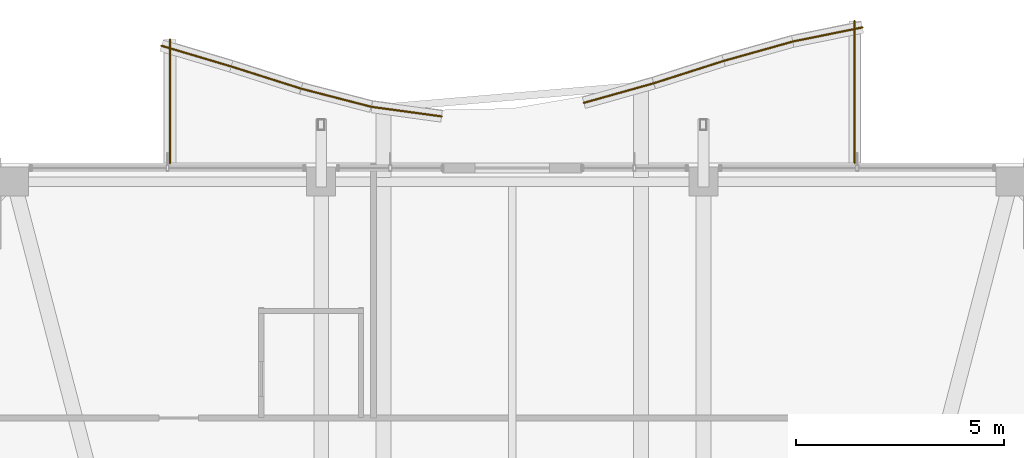
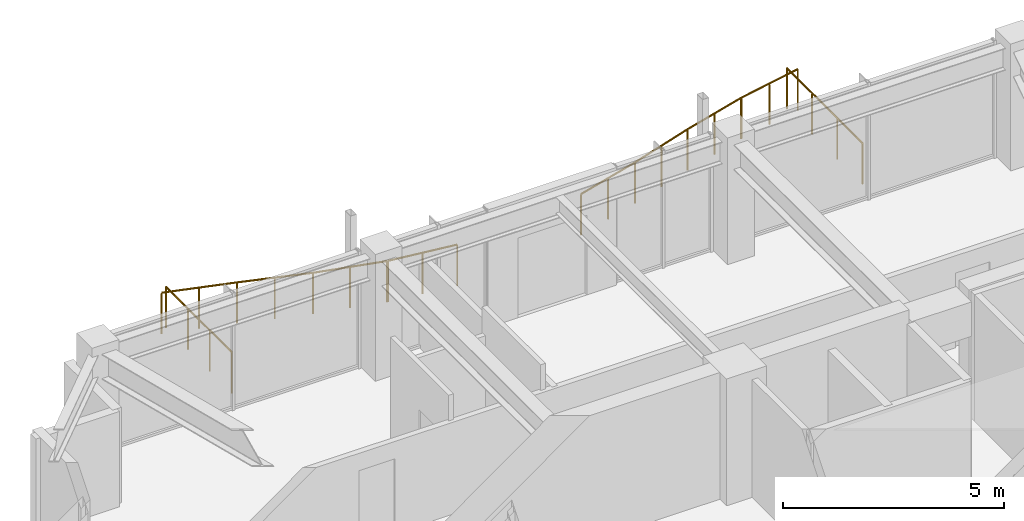
# One storey, part 31 of 31: 10 railings.
"""IFC4 building model written with IfcOpenShell, lengths in metres."""

from ifc_helpers import new_model, si_unit, direction, frame, origin, origin_2d, place, context, subcontext, project, spatial, circle, extrude, material, type_object, element, save


model = new_model("IFC4")

# Units and contexts
model_context = context("Model", 3, precision=1e-05, world=origin(), true_north=direction((0.0, 1.0)))
body_context = subcontext(model_context, "Body", "Model", "MODEL_VIEW")
ifc_project = project(units=[si_unit("LENGTHUNIT", "METRE"), si_unit("AREAUNIT", "SQUARE_METRE"), si_unit("VOLUMEUNIT", "CUBIC_METRE"), si_unit("PLANEANGLEUNIT", "RADIAN"), si_unit("MASSUNIT", "GRAM", prefix="KILO")], contexts=[model_context])

# Site, building, storey
site_placement = place(None, origin())
site = spatial("IfcSite", under=ifc_project, at=site_placement, CompositionType="ELEMENT")
building_placement = place(site_placement, origin())
building = spatial("IfcBuilding", under=site, at=building_placement, Name="Kolvaren Belvedere", CompositionType="ELEMENT")
storey_placement = place(building_placement, frame((0.0, 0.0, 247.89990234375)))
storey = spatial("IfcBuildingStorey", under=building, at=storey_placement, Name="L72", CompositionType="ELEMENT", Elevation=247.89990234375)

# Railings
ifc_material = material(Name="Anodised pale-metal aluminium & laminated glass guard", Category="aluminium")
railing_type = type_object("IfcRailingType", Name="RL-GUARD-1150", PredefinedType="GUARDRAIL", material=ifc_material)
railing_1_placement = place(storey_placement, frame((8.239990234375, 18.39990234375, 0.35009765625)))
element("IfcRailing", 1, at=railing_1_placement, inside=storey, type_object=railing_type, Name="L72 Exterior Deck Safety Guard BAL-N-11", PredefinedType="GUARDRAIL", context=body_context, shape_type="SweptSolid", body=[
    extrude(circle(Radius=0.02392578125, at=origin_2d()), frame((0.0, 0.0, 1.1259765625), z_axis=(0.0, 1.0, 0.0), x_axis=(-1.0, 0.0, 0.0)), (0.0, 0.0, 1.0), 3.420166015625),
    extrude(circle(Radius=0.02099609375, at=origin_2d()), origin(), (0.0, 0.0, 1.0), 1.101806640625),
    extrude(circle(Radius=0.02099609375, at=origin_2d()), frame((0.0, 1.14013671875, 0.0)), (0.0, 0.0, 1.0), 1.101806640625),
    extrude(circle(Radius=0.02099609375, at=origin_2d()), frame((0.0, 2.280029296875, 0.0)), (0.0, 0.0, 1.0), 1.101806640625),
    extrude(circle(Radius=0.02099609375, at=origin_2d()), frame((0.0, 3.420166015625, 0.0)), (0.0, 0.0, 1.0), 1.101806640625),
])
railing_2_placement = place(storey_placement, frame((8.431884765625, 21.6630859375, 0.35009765625)))
element("IfcRailing", 2, at=railing_2_placement, inside=storey, type_object=railing_type, Name="L72 Exterior Deck Safety Guard BAL-N-12", PredefinedType="GUARDRAIL", context=body_context, shape_type="SweptSolid", body=[
    extrude(circle(Radius=0.02392578125, at=origin_2d()), frame((0.0, 0.0, 1.1259765625), z_axis=(-0.980067977123, -0.198662427795, 0.0), x_axis=(0.198662427795, -0.980067977123, 0.0)), (0.0, 0.0, 1.0), 1.71435546875),
    extrude(circle(Radius=0.02099609375, at=origin_2d()), origin(), (0.0, 0.0, 1.0), 1.101806640625),
    extrude(circle(Radius=0.02099609375, at=origin_2d()), frame((-0.840087890625, -0.17041015625, 0.0)), (0.0, 0.0, 1.0), 1.101806640625),
    extrude(circle(Radius=0.02099609375, at=origin_2d()), frame((-1.68017578125, -0.340576171875, 0.0)), (0.0, 0.0, 1.0), 1.101806640625),
])
railing_3_placement = place(storey_placement, frame((6.76318359375, 21.3251953125, 0.35009765625)))
element("IfcRailing", 3, at=railing_3_placement, inside=storey, type_object=railing_type, Name="L72 Exterior Deck Safety Guard BAL-N-13", PredefinedType="GUARDRAIL", context=body_context, shape_type="SweptSolid", body=[
    extrude(circle(Radius=0.02392578125, at=origin_2d()), frame((0.0, 0.0, 1.1259765625), z_axis=(-0.962916043401, -0.269801210823, 0.0), x_axis=(0.269801210823, -0.962916043401, 0.0)), (0.0, 0.0, 1.0), 1.74462890625),
    extrude(circle(Radius=0.02099609375, at=origin_2d()), origin(), (0.0, 0.0, 1.0), 1.101806640625),
    extrude(circle(Radius=0.02099609375, at=origin_2d()), frame((-0.83984375, -0.2353515625, 0.0)), (0.0, 0.0, 1.0), 1.101806640625),
    extrude(circle(Radius=0.02099609375, at=origin_2d()), frame((-1.679931640625, -0.470703125, 0.0)), (0.0, 0.0, 1.0), 1.101806640625),
])
railing_4_placement = place(storey_placement, frame((5.088623046875, 20.856201171875, 0.35009765625)))
element("IfcRailing", 4, at=railing_4_placement, inside=storey, type_object=railing_type, Name="L72 Exterior Deck Safety Guard BAL-N-14", PredefinedType="GUARDRAIL", context=body_context, shape_type="SweptSolid", body=[
    extrude(circle(Radius=0.02392578125, at=origin_2d()), frame((0.0, 0.0, 1.1259765625), z_axis=(-0.952501264923, -0.304534629099, 0.0), x_axis=(0.304534629099, -0.952501264923, 0.0)), (0.0, 0.0, 1.0), 1.763671875),
    extrude(circle(Radius=0.02099609375, at=origin_2d()), origin(), (0.0, 0.0, 1.0), 1.101806640625),
    extrude(circle(Radius=0.02099609375, at=origin_2d()), frame((-0.83984375, -0.2685546875, 0.0)), (0.0, 0.0, 1.0), 1.101806640625),
    extrude(circle(Radius=0.02099609375, at=origin_2d()), frame((-1.679931640625, -0.537109375, 0.0)), (0.0, 0.0, 1.0), 1.101806640625),
])
railing_5_placement = place(storey_placement, frame((3.4033203125, 20.3173828125, 0.35009765625)))
element("IfcRailing", 5, at=railing_5_placement, inside=storey, type_object=railing_type, Name="L72 Exterior Deck Safety Guard BAL-N-15", PredefinedType="GUARDRAIL", context=body_context, shape_type="SweptSolid", body=[
    extrude(circle(Radius=0.02392578125, at=origin_2d()), frame((0.0, 0.0, 1.1259765625), z_axis=(-0.962926227834, -0.269764860108, 0.0), x_axis=(0.269764860108, -0.962926227834, 0.0)), (0.0, 0.0, 1.0), 1.744873046875),
    extrude(circle(Radius=0.02099609375, at=origin_2d()), origin(), (0.0, 0.0, 1.0), 1.101806640625),
    extrude(circle(Radius=0.02099609375, at=origin_2d()), frame((-0.840087890625, -0.2353515625, 0.0)), (0.0, 0.0, 1.0), 1.101806640625),
    extrude(circle(Radius=0.02099609375, at=origin_2d()), frame((-1.68017578125, -0.470703125, 0.0)), (0.0, 0.0, 1.0), 1.101806640625),
])
railing_6_placement = place(storey_placement, frame((-1.70166015625, 19.5205078125, 0.35009765625)))
element("IfcRailing", 6, at=railing_6_placement, inside=storey, type_object=railing_type, Name="L72 Exterior Deck Safety Guard BAL-N-18", PredefinedType="GUARDRAIL", context=body_context, shape_type="SweptSolid", body=[
    extrude(circle(Radius=0.02392578125, at=origin_2d()), frame((0.0, 0.0, 1.1259765625), z_axis=(-0.990855562068, 0.134926850989, 0.0), x_axis=(-0.134926850989, -0.990855562068, 0.0)), (0.0, 0.0, 1.0), 1.695556640625),
    extrude(circle(Radius=0.02099609375, at=origin_2d()), origin(), (0.0, 0.0, 1.0), 1.101806640625),
    extrude(circle(Radius=0.02099609375, at=origin_2d()), frame((-0.83984375, 0.1142578125, 0.0)), (0.0, 0.0, 1.0), 1.101806640625),
    extrude(circle(Radius=0.02099609375, at=origin_2d()), frame((-1.679931640625, 0.228759765625, 0.0)), (0.0, 0.0, 1.0), 1.101806640625),
])
railing_7_placement = place(storey_placement, frame((-3.400146484375, 19.7529296875, 0.35009765625)))
element("IfcRailing", 7, at=railing_7_placement, inside=storey, type_object=railing_type, Name="L72 Exterior Deck Safety Guard BAL-N-19", PredefinedType="GUARDRAIL", context=body_context, shape_type="SweptSolid", body=[
    extrude(circle(Radius=0.02392578125, at=origin_2d()), frame((0.0, 0.0, 1.1259765625), z_axis=(-0.968132209145, 0.250439664624, 0.0), x_axis=(-0.250439664624, -0.968132209145, 0.0)), (0.0, 0.0, 1.0), 1.7353515625),
    extrude(circle(Radius=0.02099609375, at=origin_2d()), origin(), (0.0, 0.0, 1.0), 1.101806640625),
    extrude(circle(Radius=0.02099609375, at=origin_2d()), frame((-0.83984375, 0.21728515625, 0.0)), (0.0, 0.0, 1.0), 1.101806640625),
    extrude(circle(Radius=0.02099609375, at=origin_2d()), frame((-1.679931640625, 0.4345703125, 0.0)), (0.0, 0.0, 1.0), 1.101806640625),
])
railing_8_placement = place(storey_placement, frame((-5.08837890625, 20.18994140625, 0.35009765625)))
element("IfcRailing", 8, at=railing_8_placement, inside=storey, type_object=railing_type, Name="L72 Exterior Deck Safety Guard BAL-N-20", PredefinedType="GUARDRAIL", context=body_context, shape_type="SweptSolid", body=[
    extrude(circle(Radius=0.02392578125, at=origin_2d()), frame((0.0, 0.0, 1.1259765625), z_axis=(-0.953181954832, 0.302397356111, 0.0), x_axis=(-0.302397356111, -0.953181954832, 0.0)), (0.0, 0.0, 1.0), 1.762451171875),
    extrude(circle(Radius=0.02099609375, at=origin_2d()), origin(), (0.0, 0.0, 1.0), 1.101806640625),
    extrude(circle(Radius=0.02099609375, at=origin_2d()), frame((-0.83984375, 0.2666015625, 0.0)), (0.0, 0.0, 1.0), 1.101806640625),
    extrude(circle(Radius=0.02099609375, at=origin_2d()), frame((-1.679931640625, 0.532958984375, 0.0)), (0.0, 0.0, 1.0), 1.101806640625),
])
railing_9_placement = place(storey_placement, frame((-6.765625, 20.721923828125, 0.35009765625)))
element("IfcRailing", 9, at=railing_9_placement, inside=storey, type_object=railing_type, Name="L72 Exterior Deck Safety Guard BAL-N-21", PredefinedType="GUARDRAIL", context=body_context, shape_type="SweptSolid", body=[
    extrude(circle(Radius=0.02392578125, at=origin_2d()), frame((0.0, 0.0, 1.1259765625), z_axis=(-0.958525043221, 0.28500831833, 0.0), x_axis=(-0.28500831833, -0.958525043221, 0.0)), (0.0, 0.0, 1.0), 1.752685546875),
    extrude(circle(Radius=0.02099609375, at=origin_2d()), origin(), (0.0, 0.0, 1.0), 1.101806640625),
    extrude(circle(Radius=0.02099609375, at=origin_2d()), frame((-0.83984375, 0.249755859375, 0.0)), (0.0, 0.0, 1.0), 1.101806640625),
    extrude(circle(Radius=0.02099609375, at=origin_2d()), frame((-1.679931640625, 0.49951171875, 0.0)), (0.0, 0.0, 1.0), 1.101806640625),
])
railing_10_placement = place(storey_placement, frame((-8.239990234375, 21.374755859375, 0.35009765625)))
element("IfcRailing", 10, at=railing_10_placement, inside=storey, type_object=railing_type, Name="L72 Exterior Deck Safety Guard BAL-N-22", PredefinedType="GUARDRAIL", context=body_context, shape_type="SweptSolid", body=[
    extrude(circle(Radius=0.02392578125, at=origin_2d()), frame((0.0, 0.0, 1.1259765625), z_axis=(0.0, -1.0, 0.0), x_axis=(1.0, 0.0, 0.0)), (0.0, 0.0, 1.0), 2.974853515625),
    extrude(circle(Radius=0.02099609375, at=origin_2d()), origin(), (0.0, 0.0, 1.0), 1.101806640625),
    extrude(circle(Radius=0.02099609375, at=origin_2d()), frame((0.0, -0.99169921875, 0.0)), (0.0, 0.0, 1.0), 1.101806640625),
    extrude(circle(Radius=0.02099609375, at=origin_2d()), frame((0.0, -1.983154296875, 0.0)), (0.0, 0.0, 1.0), 1.101806640625),
    extrude(circle(Radius=0.02099609375, at=origin_2d()), frame((0.0, -2.974853515625, 0.0)), (0.0, 0.0, 1.0), 1.101806640625),
])

save(model, "model.ifc")
